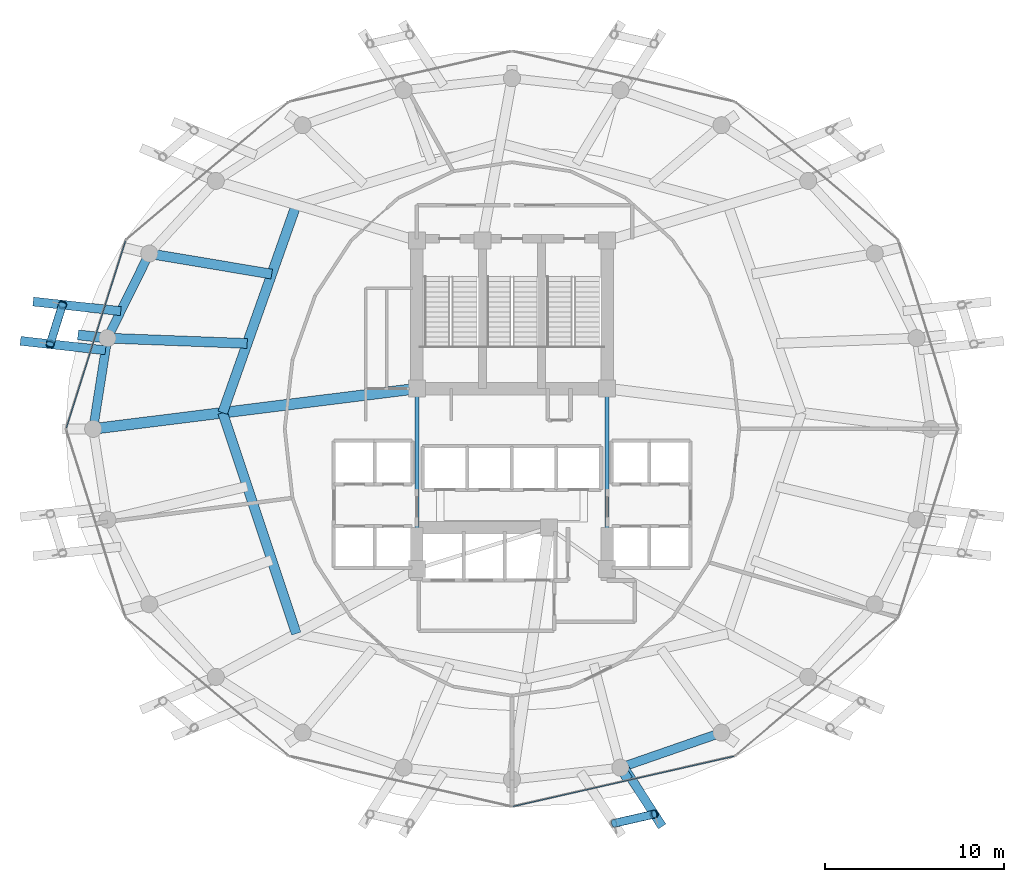
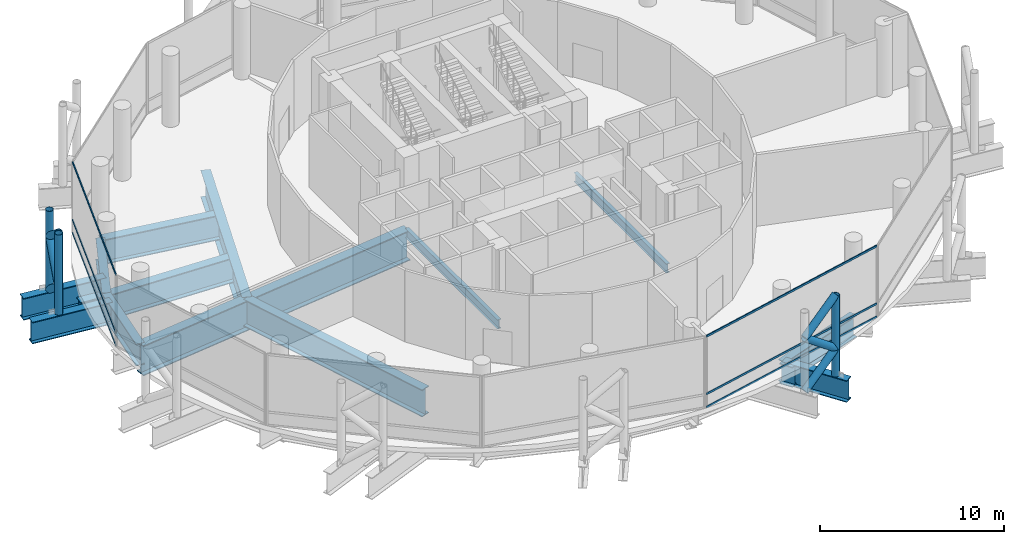
# One storey, part 7 of 29: 15 beams, 15 members, 2 elements without a shape of their own.
"""IFC4 building model written with IfcOpenShell, lengths in metres."""

from ifc_helpers import new_model, si_unit, direction, frame, origin, origin_2d, place, context, subcontext, project, spatial, hollow_rectangle, hollow_circle, i_section, extrude, material, layer, layer_set, material_profile, profile_set, type_object, element, aggregate, save


model = new_model("IFC4")

# Units and contexts
model_context = context("Model", 3, precision=1e-05, world=origin(), true_north=direction((0.0, 1.0)))
body_context = subcontext(model_context, "Body", "Model", "MODEL_VIEW")
ifc_project = project(units=[si_unit("LENGTHUNIT", "METRE"), si_unit("AREAUNIT", "SQUARE_METRE"), si_unit("VOLUMEUNIT", "CUBIC_METRE"), si_unit("PLANEANGLEUNIT", "RADIAN"), si_unit("MASSUNIT", "GRAM", prefix="KILO")], contexts=[model_context])

# Site, building, storey
site_placement = place(None, origin())
site = spatial("IfcSite", under=ifc_project, at=site_placement, CompositionType="ELEMENT")
building_placement = place(site_placement, origin())
building = spatial("IfcBuilding", under=site, at=building_placement, Name="Nuhasar Tower", CompositionType="ELEMENT")
storey_placement = place(building_placement, frame((0.0, 0.0, 113.25)))
storey = spatial("IfcBuildingStorey", under=building, at=storey_placement, Name="L26", CompositionType="ELEMENT", Elevation=113.25)

# Beams
ifc_material_1 = material(Name="Steel S355", Category="steel")
ifc_material_profile_1 = material_profile(ifc_material_1, i_section(OverallWidth=0.22900390625, OverallDepth=0.612060546875, WebThickness=0.011962890625, FlangeThickness=0.01953125, at=origin_2d()), Name="W24X84")
ifc_profile_set_1 = profile_set([ifc_material_profile_1], Name="Steel S355")
beam_type_1 = type_object("IfcBeamType", Name="BM-RAD-W24X84", PredefinedType="BEAM", material=ifc_profile_set_1)
for number, where, z_axis, x_axis, name in (
    (1, (44.300048828125, 19.0, -0.6259765625), (0.0, 1.0, 0.0), (-1.0, 0.0, 0.0), "L26 Core Ring Girder 3"),
    (2, (33.699951171875, 29.050048828125, -0.6259765625), (0.0, -1.0, 0.0), (1.0, 0.0, 0.0), "L26 Core Ring Girder 8"),
):
    element("IfcBeam", number, at=place(storey_placement, frame(where, z_axis=z_axis, x_axis=x_axis)), inside=storey, type_object=beam_type_1, Name=name, PredefinedType="BEAM", context=body_context, shape_type="SweptSolid", body=[
        extrude(i_section(OverallWidth=0.22900390625, OverallDepth=0.612060546875, WebThickness=0.011962890625, FlangeThickness=0.01953125, at=origin_2d()), origin(), (0.0, 0.0, 1.0), 10.050048828125),
    ])
ifc_material_2 = material(Name="Steel S460", Category="steel")
ifc_material_profile_2 = material_profile(ifc_material_2, i_section(OverallWidth=0.550048828125, OverallDepth=1.35009765625, WebThickness=0.028076171875, FlangeThickness=0.050048828125, at=origin_2d()), Name="PG1350X550")
ifc_profile_set_2 = profile_set([ifc_material_profile_2], Name="Steel S460")
beam_type_2 = type_object("IfcBeamType", Name="BM-XFER-PG1350", PredefinedType="USERDEFINED", material=ifc_profile_set_2)
beam_1_placement = place(storey_placement, frame((45.04296875, 7.916015625, -0.9951171875), z_axis=(0.545445760903, -0.838146122053, 0.0), x_axis=(0.838146122053, 0.545445760903, 0.0)))
element("IfcBeam", 3, at=beam_1_placement, inside=storey, type_object=beam_type_2, Name="L26 Outer Column Step Transfer Girder 20", ObjectType="GIRDER", PredefinedType="USERDEFINED", context=body_context, shape_type="SweptSolid", body=[
    extrude(i_section(OverallWidth=0.550048828125, OverallDepth=1.35009765625, WebThickness=0.028076171875, FlangeThickness=0.050048828125, at=origin_2d()), origin(), (0.0, 0.0, 1.0), 0.806640625),
])
beam_2_placement = place(storey_placement, frame((16.446044921875, 31.860107421875, -0.9951171875), z_axis=(-0.99398603161, 0.109506935686, 0.0), x_axis=(-0.109506935686, -0.99398603161, 0.0)))
element("IfcBeam", 4, at=beam_2_placement, inside=storey, type_object=beam_type_2, Name="L26 Outer Column Step Transfer Girder 12", ObjectType="GIRDER", PredefinedType="USERDEFINED", context=body_context, shape_type="SweptSolid", body=[
    extrude(i_section(OverallWidth=0.550048828125, OverallDepth=1.35009765625, WebThickness=0.028076171875, FlangeThickness=0.050048828125, at=origin_2d()), origin(), (0.0, 0.0, 1.0), 1.652099609375),
])
ifc_material_profile_3 = material_profile(ifc_material_2, i_section(OverallWidth=0.5, OverallDepth=1.449951171875, WebThickness=0.028076171875, FlangeThickness=0.050048828125, at=origin_2d()), Name="PG1450X500")
ifc_profile_set_3 = profile_set([ifc_material_profile_3], Name="Steel S460")
beam_type_3 = type_object("IfcBeamType", Name="BM-XFER-PG1450", PredefinedType="USERDEFINED", material=ifc_profile_set_3)
beam_3_placement = place(storey_placement, frame((18.778076171875, 36.574951171875, -1.044921875), z_axis=(-0.443347771709, -0.896349682501, 0.0), x_axis=(0.896349682501, -0.443347771709, 0.0)))
element("IfcBeam", 5, at=beam_3_placement, inside=storey, type_object=beam_type_3, Name="L26 Perimeter Ring Spandrel 11", ObjectType="GIRDER", PredefinedType="USERDEFINED", context=body_context, shape_type="SweptSolid", body=[
    extrude(i_section(OverallWidth=0.5, OverallDepth=1.449951171875, WebThickness=0.028076171875, FlangeThickness=0.050048828125, at=origin_2d()), origin(), (0.0, 0.0, 1.0), 5.260009765625),
])
beam_4_placement = place(storey_placement, frame((16.446044921875, 31.860107421875, -1.044921875), z_axis=(-0.155426543608, -0.987847452566, 0.0), x_axis=(0.987847452566, -0.155426543608, 0.0)))
element("IfcBeam", 6, at=beam_4_placement, inside=storey, type_object=beam_type_3, Name="L26 Perimeter Ring Spandrel 12", ObjectType="GIRDER", PredefinedType="USERDEFINED", context=body_context, shape_type="SweptSolid", body=[
    extrude(i_section(OverallWidth=0.5, OverallDepth=1.449951171875, WebThickness=0.028076171875, FlangeThickness=0.050048828125, at=origin_2d()), origin(), (0.0, 0.0, 1.0), 5.122314453125),
])
beam_5_placement = place(storey_placement, frame((45.04296875, 7.916015625, -1.044921875), z_axis=(0.944814057608, 0.327607076458, 0.0), x_axis=(-0.327607076458, 0.944814057608, 0.0)))
element("IfcBeam", 7, at=beam_5_placement, inside=storey, type_object=beam_type_3, Name="L26 Perimeter Ring Spandrel 20", ObjectType="GIRDER", PredefinedType="USERDEFINED", context=body_context, shape_type="SweptSolid", body=[
    extrude(i_section(OverallWidth=0.5, OverallDepth=1.449951171875, WebThickness=0.028076171875, FlangeThickness=0.050048828125, at=origin_2d()), origin(), (0.0, 0.0, 1.0), 5.9609375),
])
beam_6_placement = place(storey_placement, frame((17.19091796875, 33.365966796875, -1.044921875), z_axis=(-0.994095842058, 0.108505561161, 0.0), x_axis=(-0.108505561161, -0.994095842058, 0.0)))
element("IfcBeam", 8, at=beam_6_placement, inside=storey, type_object=beam_type_3, Name="L26 Exoskeleton Step Transfer Girder 11", ObjectType="GIRDER", PredefinedType="USERDEFINED", context=body_context, shape_type="SweptSolid", body=[
    extrude(i_section(OverallWidth=0.5, OverallDepth=1.449951171875, WebThickness=0.028076171875, FlangeThickness=0.050048828125, at=origin_2d()), origin(), (0.0, 0.0, 1.0), 4.911865234375),
])
beam_7_placement = place(storey_placement, frame((16.339111328125, 31.181884765625, -1.044921875), z_axis=(-0.993848718805, 0.11074621497, 0.0), x_axis=(-0.11074621497, -0.993848718805, 0.0)))
element("IfcBeam", 9, at=beam_7_placement, inside=storey, type_object=beam_type_3, Name="L26 Exoskeleton Step Transfer Girder 12", ObjectType="GIRDER", PredefinedType="USERDEFINED", context=body_context, shape_type="SweptSolid", body=[
    extrude(i_section(OverallWidth=0.5, OverallDepth=1.449951171875, WebThickness=0.028076171875, FlangeThickness=0.050048828125, at=origin_2d()), origin(), (0.0, 0.0, 1.0), 4.768310546875),
])
beam_8_placement = place(storey_placement, frame((45.215087890625, 7.97607421875, -1.044921875), z_axis=(0.542598629004, -0.839992099846, 0.0), x_axis=(0.839992099846, 0.542598629004, 0.0)))
element("IfcBeam", 10, at=beam_8_placement, inside=storey, type_object=beam_type_3, Name="L26 Exoskeleton Step Transfer Girder 20", ObjectType="GIRDER", PredefinedType="USERDEFINED", context=body_context, shape_type="SweptSolid", body=[
    extrude(i_section(OverallWidth=0.5, OverallDepth=1.449951171875, WebThickness=0.028076171875, FlangeThickness=0.050048828125, at=origin_2d()), origin(), (0.0, 0.0, 1.0), 3.9716796875),
])
ifc_material_profile_4 = material_profile(ifc_material_2, i_section(OverallWidth=0.550048828125, OverallDepth=1.64990234375, WebThickness=0.031982421875, FlangeThickness=0.054931640625, at=origin_2d()), Name="PG1650X550")
ifc_profile_set_4 = profile_set([ifc_material_profile_4], Name="Steel S460")
beam_type_4 = type_object("IfcBeamType", Name="BM-XFER-PG1650", PredefinedType="USERDEFINED", material=ifc_profile_set_4)
beam_9_placement = place(storey_placement, frame((25.60498046875, 35.428955078125, -1.14501953125), z_axis=(-0.986201662458, 0.165548424832, 0.0), x_axis=(-0.165548424832, -0.986201662458, 0.0)))
element("IfcBeam", 11, at=beam_9_placement, inside=storey, type_object=beam_type_4, Name="L26 Inner Column Transfer Girder 11", ObjectType="GIRDER", PredefinedType="USERDEFINED", context=body_context, shape_type="SweptSolid", body=[
    extrude(i_section(OverallWidth=0.550048828125, OverallDepth=1.64990234375, WebThickness=0.031982421875, FlangeThickness=0.054931640625, at=origin_2d()), origin(), (0.0, 0.0, 1.0), 6.92236328125),
])
beam_10_placement = place(storey_placement, frame((24.238037109375, 31.56494140625, -1.14501953125), z_axis=(-0.999283298013, 0.037853537639, 0.0), x_axis=(-0.037853537639, -0.999283298013, 0.0)))
element("IfcBeam", 12, at=beam_10_placement, inside=storey, type_object=beam_type_4, Name="L26 Inner Column Transfer Girder 12", ObjectType="GIRDER", PredefinedType="USERDEFINED", context=body_context, shape_type="SweptSolid", body=[
    extrude(i_section(OverallWidth=0.550048828125, OverallDepth=1.64990234375, WebThickness=0.031982421875, FlangeThickness=0.054931640625, at=origin_2d()), origin(), (0.0, 0.0, 1.0), 7.797607421875),
])
ifc_material_profile_5 = material_profile(ifc_material_2, i_section(OverallWidth=0.550048828125, OverallDepth=1.800048828125, WebThickness=0.031982421875, FlangeThickness=0.054931640625, at=origin_2d()), Name="PG1800X550")
ifc_profile_set_5 = profile_set([ifc_material_profile_5], Name="Steel S460")
beam_type_5 = type_object("IfcBeamType", Name="BM-XFER-PG1800", PredefinedType="USERDEFINED", material=ifc_profile_set_5)
beam_11_placement = place(storey_placement, frame((26.972900390625, 39.2939453125, -1.219970703125), z_axis=(-0.333599821096, -0.942714781556, 0.0), x_axis=(0.942714781556, -0.333599821096, 0.0)))
element("IfcBeam", 13, at=beam_11_placement, inside=storey, type_object=beam_type_5, Name="L26 Inner Header Beam 07", ObjectType="GIRDER", PredefinedType="USERDEFINED", context=body_context, shape_type="SweptSolid", body=[
    extrude(i_section(OverallWidth=0.550048828125, OverallDepth=1.800048828125, WebThickness=0.031982421875, FlangeThickness=0.054931640625, at=origin_2d()), origin(), (0.0, 0.0, 1.0), 12.298583984375),
])
beam_12_placement = place(storey_placement, frame((22.8701171875, 27.699951171875, -1.219970703125), z_axis=(0.31609797573, -0.948726551615, 0.0), x_axis=(0.948726551615, 0.31609797573, 0.0)))
element("IfcBeam", 14, at=beam_12_placement, inside=storey, type_object=beam_type_5, Name="L26 Inner Header Beam 08", ObjectType="GIRDER", PredefinedType="USERDEFINED", context=body_context, shape_type="SweptSolid", body=[
    extrude(i_section(OverallWidth=0.550048828125, OverallDepth=1.800048828125, WebThickness=0.031982421875, FlangeThickness=0.054931640625, at=origin_2d()), origin(), (0.0, 0.0, 1.0), 12.9794921875),
])
ifc_material_profile_6 = material_profile(ifc_material_2, i_section(OverallWidth=0.60009765625, OverallDepth=2.0, WebThickness=0.035888671875, FlangeThickness=0.06005859375, at=origin_2d()), Name="PG2000X600")
ifc_profile_set_6 = profile_set([ifc_material_profile_6], Name="Steel S460")
beam_type_6 = type_object("IfcBeamType", Name="BM-XFER-PG2000", PredefinedType="USERDEFINED", material=ifc_profile_set_6)
beam_13_placement = place(storey_placement, frame((33.699951171875, 29.050048828125, -1.320068359375), z_axis=(-0.992320149485, -0.123696082908, 0.0), x_axis=(0.123696082908, -0.992320149485, 0.0)))
element("IfcBeam", 15, at=beam_13_placement, inside=storey, type_object=beam_type_6, Name="L26 Radial Floor Girder 08", ObjectType="GIRDER", PredefinedType="USERDEFINED", context=body_context, shape_type="SweptSolid", body=[
    extrude(i_section(OverallWidth=0.60009765625, OverallDepth=2.0, WebThickness=0.035888671875, FlangeThickness=0.06005859375, at=origin_2d()), origin(), (0.0, 0.0, 1.0), 18.189697265625),
])

# Curtain wall, members
ifc_material_3 = material(Name="Aluminium 6063-T6", Category="aluminium")
ifc_layer = layer(ifc_material_3, 0.239990234375)
ifc_layer_set = layer_set([ifc_layer], Name="Aluminium 6063-T6")
curtain_wall_type = type_object("IfcCurtainWallType", Name="CW-SKY-LBY", PredefinedType="NOTDEFINED", material=ifc_layer_set)
curtain_wall_1_placement = place(storey_placement, origin())
curtain_wall_1 = element("IfcCurtainWall", 16, at=curtain_wall_1_placement, inside=storey, type_object=curtain_wall_type, Name="L26 Unitised Curtain Wall 06", PredefinedType="NOTDEFINED")
ifc_material_profile_7 = material_profile(ifc_material_3, hollow_rectangle(XDim=0.06005859375, YDim=0.1298828125, WallThickness=0.00439453125, at=origin_2d()), Name="CWT-6")
ifc_profile_set_7 = profile_set([ifc_material_profile_7], Name="Aluminium 6063-T6")
member_type_1 = type_object("IfcMemberType", Name="CW-TRN-S6", PredefinedType="USERDEFINED", material=ifc_profile_set_7)
member_1_placement = place(storey_placement, frame((17.452880859375, 37.272705078125, 0.030029296875), z_axis=(-0.301594460874, -0.95343630158, 0.0), x_axis=(0.95343630158, -0.301594460874, 0.0)))
member_1 = element("IfcMember", 17, at=member_1_placement, type_object=member_type_1, Name="CW-SL transom 1.1", ObjectType="TRANSOM", PredefinedType="USERDEFINED", context=body_context, shape_type="SweptSolid", body=[
    extrude(hollow_rectangle(XDim=0.06005859375, YDim=0.1298828125, WallThickness=0.00439453125, at=origin_2d()), origin(), (0.0, 0.0, 1.0), 10.92431640625),
])
member_2_placement = place(storey_placement, frame((17.452880859375, 37.272705078125, 0.89990234375), z_axis=(-0.301594460874, -0.95343630158, 0.0), x_axis=(0.95343630158, -0.301594460874, 0.0)))
member_2 = element("IfcMember", 18, at=member_2_placement, type_object=member_type_1, Name="CW-SL transom 1.2", ObjectType="TRANSOM", PredefinedType="USERDEFINED", context=body_context, shape_type="SweptSolid", body=[
    extrude(hollow_rectangle(XDim=0.06005859375, YDim=0.1298828125, WallThickness=0.00439453125, at=origin_2d()), origin(), (0.0, 0.0, 1.0), 10.92431640625),
])
member_3_placement = place(storey_placement, frame((17.452880859375, 37.272705078125, 4.719970703125), z_axis=(-0.301594460874, -0.95343630158, 0.0), x_axis=(0.95343630158, -0.301594460874, 0.0)))
member_3 = element("IfcMember", 19, at=member_3_placement, type_object=member_type_1, Name="CW-SL transom 1.3", ObjectType="TRANSOM", PredefinedType="USERDEFINED", context=body_context, shape_type="SweptSolid", body=[
    extrude(hollow_rectangle(XDim=0.06005859375, YDim=0.1298828125, WallThickness=0.00439453125, at=origin_2d()), origin(), (0.0, 0.0, 1.0), 10.92431640625),
])
aggregate(curtain_wall_1, [member_1, member_2, member_3])

curtain_wall_2_placement = place(storey_placement, origin())
curtain_wall_2 = element("IfcCurtainWall", 20, at=curtain_wall_2_placement, inside=storey, type_object=curtain_wall_type, Name="L26 Unitised Curtain Wall 10", PredefinedType="NOTDEFINED")
member_4_placement = place(storey_placement, frame((39.05859375, 5.753173828125, 0.030029296875), z_axis=(0.975179938574, 0.221413837423, 0.0), x_axis=(-0.221413837423, 0.975179938574, 0.0)))
member_4 = element("IfcMember", 21, at=member_4_placement, type_object=member_type_1, Name="CW-SL transom 1.1", ObjectType="TRANSOM", PredefinedType="USERDEFINED", context=body_context, shape_type="SweptSolid", body=[
    extrude(hollow_rectangle(XDim=0.06005859375, YDim=0.1298828125, WallThickness=0.00439453125, at=origin_2d()), origin(), (0.0, 0.0, 1.0), 12.62646484375),
])
member_5_placement = place(storey_placement, frame((39.05859375, 5.753173828125, 0.89990234375), z_axis=(0.975179938574, 0.221413837423, 0.0), x_axis=(-0.221413837423, 0.975179938574, 0.0)))
member_5 = element("IfcMember", 22, at=member_5_placement, type_object=member_type_1, Name="CW-SL transom 1.2", ObjectType="TRANSOM", PredefinedType="USERDEFINED", context=body_context, shape_type="SweptSolid", body=[
    extrude(hollow_rectangle(XDim=0.06005859375, YDim=0.1298828125, WallThickness=0.00439453125, at=origin_2d()), origin(), (0.0, 0.0, 1.0), 12.62646484375),
])
member_6_placement = place(storey_placement, frame((39.05859375, 5.753173828125, 4.719970703125), z_axis=(0.975179938574, 0.221413837423, 0.0), x_axis=(-0.221413837423, 0.975179938574, 0.0)))
member_6 = element("IfcMember", 23, at=member_6_placement, type_object=member_type_1, Name="CW-SL transom 1.3", ObjectType="TRANSOM", PredefinedType="USERDEFINED", context=body_context, shape_type="SweptSolid", body=[
    extrude(hollow_rectangle(XDim=0.06005859375, YDim=0.1298828125, WallThickness=0.00439453125, at=origin_2d()), origin(), (0.0, 0.0, 1.0), 12.62646484375),
])
aggregate(curtain_wall_2, [member_4, member_5, member_6])

# Members
ifc_material_profile_8 = material_profile(ifc_material_2, hollow_circle(Radius=0.228515625, WallThickness=0.022216796875, at=origin_2d()), Name="HSS457X22.2")
ifc_profile_set_8 = profile_set([ifc_material_profile_8], Name="Steel S460")
member_type_2 = type_object("IfcMemberType", Name="EXO-BRONZE-457", PredefinedType="BRACE", material=ifc_profile_set_8)
for number, where, z_axis, x_axis, name in (
    (24, (13.93994140625, 33.720947265625, -0.320068359375), (0.0, 0.0, 1.0), (1.0, 0.0, 0.0), "L26 Exoskeleton Chord Column EC-06A"),
    (25, (13.251953125, 31.52587890625, -0.320068359375), (0.0, 0.0, 1.0), (1.0, 0.0, 0.0), "L26 Exoskeleton Chord Column EC-06B"),
    (26, (46.927978515625, 5.323974609375, -0.320068359375), (0.0, 0.0, 1.0), (1.0, 0.0, 0.0), "L26 Exoskeleton Chord Column EC-10B"),
):
    element("IfcMember", number, at=place(storey_placement, frame(where, z_axis=z_axis, x_axis=x_axis)), inside=storey, type_object=member_type_2, Name=name, PredefinedType="BRACE", context=body_context, shape_type="SweptSolid", body=[
        extrude(hollow_circle(Radius=0.228515625, WallThickness=0.022216796875, at=origin_2d()), origin(), (0.0, 0.0, 1.0), 5.320068359375),
    ])
member_7_placement = place(storey_placement, frame((13.93994140625, 33.720947265625, -0.320068359375), z_axis=(-0.236885483771, -0.755797510497, 0.610455068539), x_axis=(0.954228474306, -0.29907861646, 0.0)))
element("IfcMember", 27, at=member_7_placement, inside=storey, type_object=member_type_2, Name="L26 Bronze Diagrid Brace W1-06", PredefinedType="BRACE", context=body_context, shape_type="SweptSolid", body=[
    extrude(hollow_circle(Radius=0.228515625, WallThickness=0.022216796875, at=origin_2d()), origin(), (0.0, 0.0, 1.0), 2.904296875),
])
member_8_placement = place(storey_placement, frame((13.251953125, 31.52587890625, 1.452880859375), z_axis=(0.236824706396, 0.755603596596, 0.610718644919), x_axis=(-0.954228474306, 0.29907861646, 0.0)))
element("IfcMember", 28, at=member_8_placement, inside=storey, type_object=member_type_2, Name="L26 Bronze Diagrid Brace W2-06", PredefinedType="BRACE", context=body_context, shape_type="SweptSolid", body=[
    extrude(hollow_circle(Radius=0.228515625, WallThickness=0.022216796875, at=origin_2d()), origin(), (0.0, 0.0, 1.0), 2.905029296875),
])
member_9_placement = place(storey_placement, frame((13.93994140625, 33.720947265625, 3.22705078125), z_axis=(-0.236885483771, -0.755797510497, 0.610455068539), x_axis=(0.954228474306, -0.29907861646, 0.0)))
element("IfcMember", 29, at=member_9_placement, inside=storey, type_object=member_type_2, Name="L26 Bronze Diagrid Brace W3-06", PredefinedType="BRACE", context=body_context, shape_type="SweptSolid", body=[
    extrude(hollow_circle(Radius=0.228515625, WallThickness=0.022216796875, at=origin_2d()), origin(), (0.0, 0.0, 1.0), 2.904296875),
])
member_10_placement = place(storey_placement, frame((44.68603515625, 4.81005859375, -0.320068359375), z_axis=(0.771993769121, 0.176962526843, 0.610499700681), x_axis=(-0.223432882746, 0.974719316987, 0.0)))
element("IfcMember", 30, at=member_10_placement, inside=storey, type_object=member_type_2, Name="L26 Bronze Diagrid Brace W1-10", PredefinedType="BRACE", context=body_context, shape_type="SweptSolid", body=[
    extrude(hollow_circle(Radius=0.228515625, WallThickness=0.022216796875, at=origin_2d()), origin(), (0.0, 0.0, 1.0), 2.904052734375),
])
member_11_placement = place(storey_placement, frame((46.927978515625, 5.323974609375, 1.452880859375), z_axis=(-0.771795670816, -0.17691711718, 0.61076327342), x_axis=(0.223432882746, -0.974719316987, 0.0)))
element("IfcMember", 31, at=member_11_placement, inside=storey, type_object=member_type_2, Name="L26 Bronze Diagrid Brace W2-10", PredefinedType="BRACE", context=body_context, shape_type="SweptSolid", body=[
    extrude(hollow_circle(Radius=0.228515625, WallThickness=0.022216796875, at=origin_2d()), origin(), (0.0, 0.0, 1.0), 2.90478515625),
])
member_12_placement = place(storey_placement, frame((44.68603515625, 4.81005859375, 3.22705078125), z_axis=(0.771993769121, 0.176962526843, 0.610499700681), x_axis=(-0.223432882746, 0.974719316987, 0.0)))
element("IfcMember", 32, at=member_12_placement, inside=storey, type_object=member_type_2, Name="L26 Bronze Diagrid Brace W3-10", PredefinedType="BRACE", context=body_context, shape_type="SweptSolid", body=[
    extrude(hollow_circle(Radius=0.228515625, WallThickness=0.022216796875, at=origin_2d()), origin(), (0.0, 0.0, 1.0), 2.904052734375),
])

save(model, "model.ifc")
